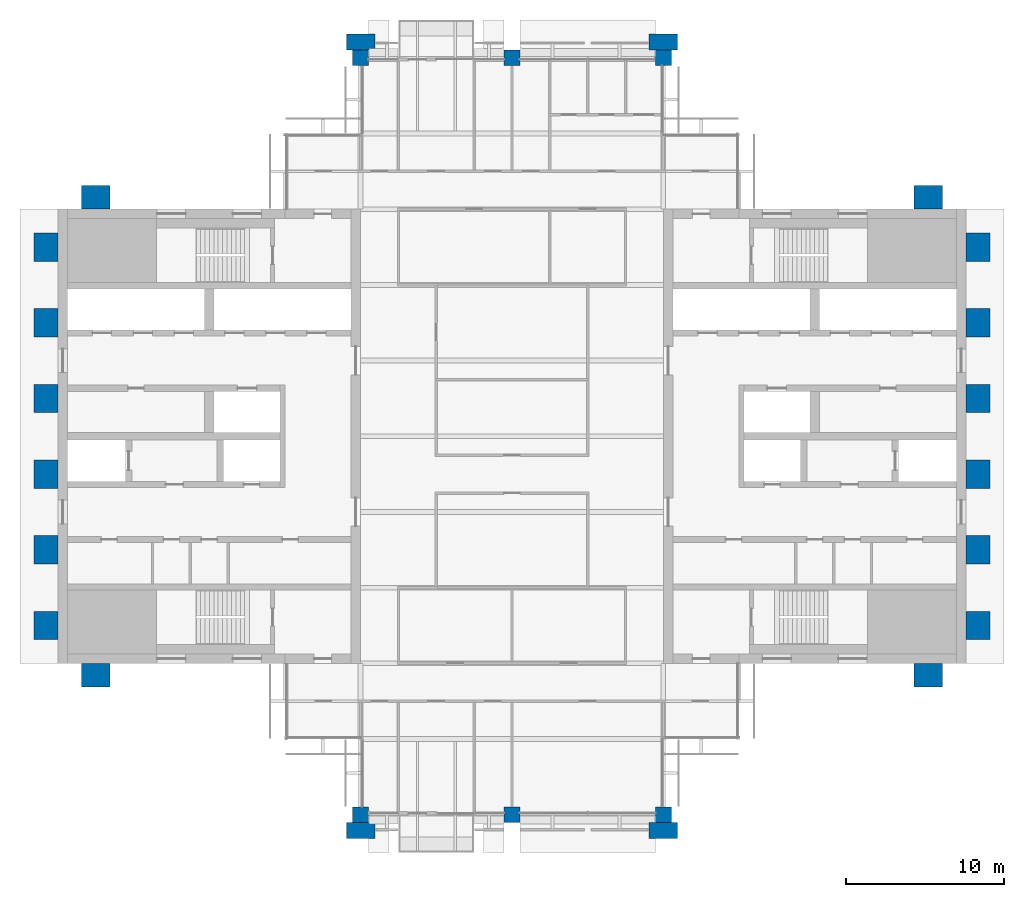
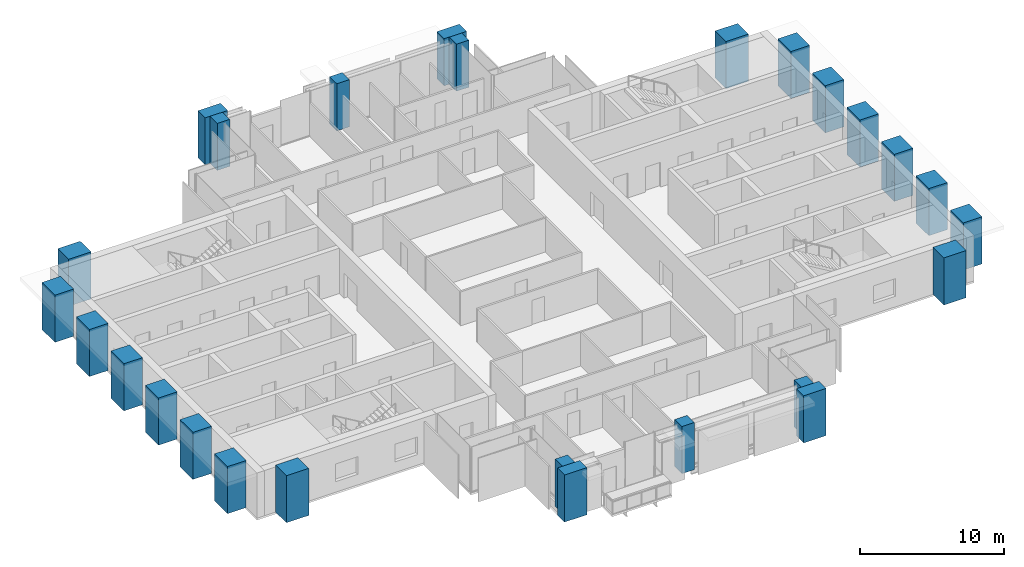
# One storey, part 1 of 13: 26 columns.
"""IFC4 building model written with IfcOpenShell, lengths in metres."""

from ifc_helpers import new_model, si_unit, direction, frame, origin, origin_2d, place, context, subcontext, project, spatial, rectangle, extrude, material, material_profile, profile_set, type_object, element, save


model = new_model("IFC4")

# Units and contexts
model_context = context("Model", 3, precision=1e-05, world=origin(), true_north=direction((0.0, 1.0)))
body_context = subcontext(model_context, "Body", "Model", "MODEL_VIEW")
ifc_project = project(units=[si_unit("LENGTHUNIT", "METRE"), si_unit("AREAUNIT", "SQUARE_METRE"), si_unit("VOLUMEUNIT", "CUBIC_METRE"), si_unit("PLANEANGLEUNIT", "RADIAN"), si_unit("MASSUNIT", "GRAM", prefix="KILO")], contexts=[model_context])

# Site, building, storey
site_placement = place(None, origin())
site = spatial("IfcSite", under=ifc_project, at=site_placement, CompositionType="ELEMENT")
building_placement = place(site_placement, origin())
building = spatial("IfcBuilding", under=site, at=building_placement, Name="Baori Bourse Tower", CompositionType="ELEMENT")
storey_placement = place(building_placement, frame((0.0, 0.0, 314.300048828125)))
storey = spatial("IfcBuildingStorey", under=building, at=storey_placement, Name="L69", CompositionType="ELEMENT", Elevation=314.300048828125)

# Columns
ifc_material_1 = material(Name="Concrete f'c 60 MPa", Category="concrete")
ifc_material_profile_1 = material_profile(ifc_material_1, rectangle(XDim=1.800048828125, YDim=1.0, at=origin_2d()), Name="RC 1800x1000")
ifc_profile_set_1 = profile_set([ifc_material_profile_1], Name="Concrete f'c 60 MPa")
column_type_1 = type_object("IfcColumnType", Name="FN3 Brick pilaster 1800x1000", PredefinedType="PILASTER", material=ifc_profile_set_1)
for number, where, z_axis, x_axis, name in (
    (1, (19.199951171875, -1.0, 0.0), (0.0, 0.0, 1.0), (1.0, 0.0, 0.0), "Brick pilaster L69 17"),
    (2, (38.39990234375, -1.0, 0.0), (0.0, 0.0, 1.0), (1.0, 0.0, 0.0), "Brick pilaster L69 18"),
    (3, (19.199951171875, 49.0, 0.0), (0.0, 0.0, 1.0), (1.0, 0.0, 0.0), "Brick pilaster L69 19"),
    (4, (38.39990234375, 49.0, 0.0), (0.0, 0.0, 1.0), (1.0, 0.0, 0.0), "Brick pilaster L69 20"),
):
    element("IfcColumn", number, at=place(storey_placement, frame(where, z_axis=z_axis, x_axis=x_axis)), inside=storey, type_object=column_type_1, Name=name, PredefinedType="PILASTER", context=body_context, shape_type="SweptSolid", body=[
        extrude(rectangle(XDim=1.800048828125, YDim=1.0, at=origin_2d()), origin(), (0.0, 0.0, 1.0), 4.0),
    ])
ifc_material_2 = material(Name="Concrete f'c 60 MPa", Category="concrete")
ifc_material_profile_2 = material_profile(ifc_material_2, rectangle(XDim=1.800048828125, YDim=1.5, at=origin_2d()), Name="RC 1800x1500")
ifc_profile_set_2 = profile_set([ifc_material_profile_2], Name="Concrete f'c 60 MPa")
column_type_2 = type_object("IfcColumnType", Name="FN4 Brick flank pilaster 1800x1500", PredefinedType="PILASTER", material=ifc_profile_set_2)
for number, where, z_axis, x_axis, name in (
    (5, (55.199951171875, 8.85009765625, 0.0), (0.0, 0.0, 1.0), (1.0, 0.0, 0.0), "Brick pilaster L69 1"),
    (6, (58.35009765625, 12.0, 0.0), (0.0, 0.0, 1.0), (0.0, 1.0, 0.0), "Brick pilaster L69 2"),
    (7, (58.35009765625, 16.800048828125, 0.0), (0.0, 0.0, 1.0), (0.0, 1.0, 0.0), "Brick pilaster L69 3"),
    (8, (58.35009765625, 21.60009765625, 0.0), (0.0, 0.0, 1.0), (0.0, 1.0, 0.0), "Brick pilaster L69 4"),
    (9, (58.35009765625, 26.39990234375, 0.0), (0.0, 0.0, 1.0), (0.0, 1.0, 0.0), "Brick pilaster L69 5"),
    (10, (58.35009765625, 31.199951171875, 0.0), (0.0, 0.0, 1.0), (0.0, 1.0, 0.0), "Brick pilaster L69 6"),
    (11, (58.35009765625, 36.0, 0.0), (0.0, 0.0, 1.0), (0.0, 1.0, 0.0), "Brick pilaster L69 7"),
    (12, (55.199951171875, 39.14990234375, 0.0), (0.0, 0.0, 1.0), (1.0, 0.0, 0.0), "Brick pilaster L69 8"),
    (13, (2.39990234375, 39.14990234375, 0.0), (0.0, 0.0, 1.0), (1.0, 0.0, 0.0), "Brick pilaster L69 9"),
    (14, (-0.75, 12.0, 0.0), (0.0, 0.0, 1.0), (0.0, 1.0, 0.0), "Brick pilaster L69 10"),
    (15, (-0.75, 16.800048828125, 0.0), (0.0, 0.0, 1.0), (0.0, 1.0, 0.0), "Brick pilaster L69 11"),
    (16, (-0.75, 21.60009765625, 0.0), (0.0, 0.0, 1.0), (0.0, 1.0, 0.0), "Brick pilaster L69 12"),
    (17, (-0.75, 26.39990234375, 0.0), (0.0, 0.0, 1.0), (0.0, 1.0, 0.0), "Brick pilaster L69 13"),
    (18, (-0.75, 31.199951171875, 0.0), (0.0, 0.0, 1.0), (0.0, 1.0, 0.0), "Brick pilaster L69 14"),
    (19, (-0.75, 36.0, 0.0), (0.0, 0.0, 1.0), (0.0, 1.0, 0.0), "Brick pilaster L69 15"),
    (20, (2.39990234375, 8.85009765625, 0.0), (0.0, 0.0, 1.0), (1.0, 0.0, 0.0), "Brick pilaster L69 16"),
):
    element("IfcColumn", number, at=place(storey_placement, frame(where, z_axis=z_axis, x_axis=x_axis)), inside=storey, type_object=column_type_2, Name=name, PredefinedType="PILASTER", context=body_context, shape_type="SweptSolid", body=[
        extrude(rectangle(XDim=1.800048828125, YDim=1.5, at=origin_2d()), origin(), (0.0, 0.0, 1.0), 4.0),
    ])
ifc_material_3 = material(Name="Concrete f'c 40 MPa", Category="concrete")
ifc_material_profile_3 = material_profile(ifc_material_3, rectangle(XDim=1.0, YDim=1.0, at=origin_2d()), Name="RC 1000x1000")
ifc_profile_set_3 = profile_set([ifc_material_profile_3], Name="Concrete f'c 40 MPa")
column_type_3 = type_object("IfcColumnType", Name="Perimeter column 40 RC 1000x1000", PredefinedType="COLUMN", material=ifc_profile_set_3)
for number, where, z_axis, x_axis, name in (
    (21, (19.199951171875, 0.0, 0.0), (0.0, 0.0, 1.0), (1.0, 0.0, 0.0), "Perimeter column L69"),
    (22, (28.800048828125, 0.0, 0.0), (0.0, 0.0, 1.0), (1.0, 0.0, 0.0), "Perimeter column L69"),
    (23, (38.39990234375, 0.0, 0.0), (0.0, 0.0, 1.0), (1.0, 0.0, 0.0), "Perimeter column L69"),
    (24, (19.199951171875, 48.0, 0.0), (0.0, 0.0, 1.0), (1.0, 0.0, 0.0), "Perimeter column L69"),
    (25, (28.800048828125, 48.0, 0.0), (0.0, 0.0, 1.0), (1.0, 0.0, 0.0), "Perimeter column L69"),
    (26, (38.39990234375, 48.0, 0.0), (0.0, 0.0, 1.0), (1.0, 0.0, 0.0), "Perimeter column L69"),
):
    element("IfcColumn", number, at=place(storey_placement, frame(where, z_axis=z_axis, x_axis=x_axis)), inside=storey, type_object=column_type_3, Name=name, PredefinedType="COLUMN", context=body_context, shape_type="SweptSolid", body=[
        extrude(rectangle(XDim=1.0, YDim=1.0, at=origin_2d()), origin(), (0.0, 0.0, 1.0), 4.0),
    ])

save(model, "model.ifc")
